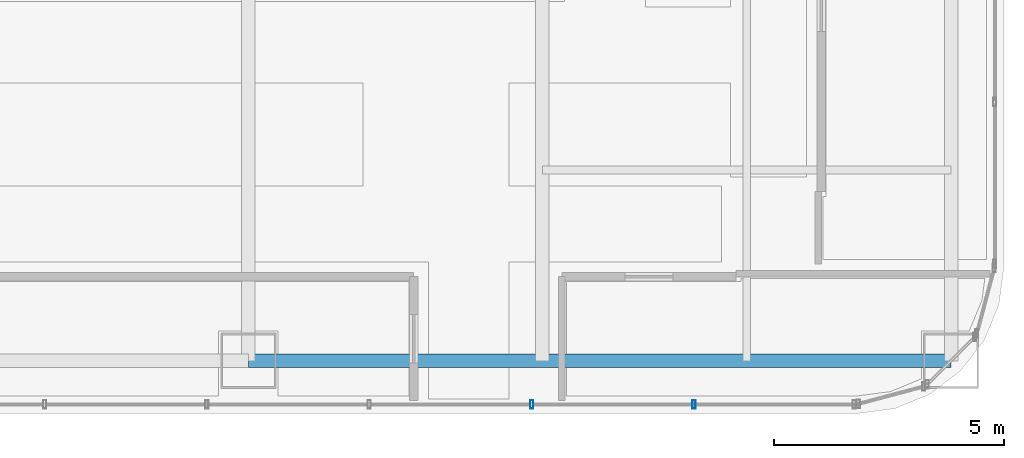
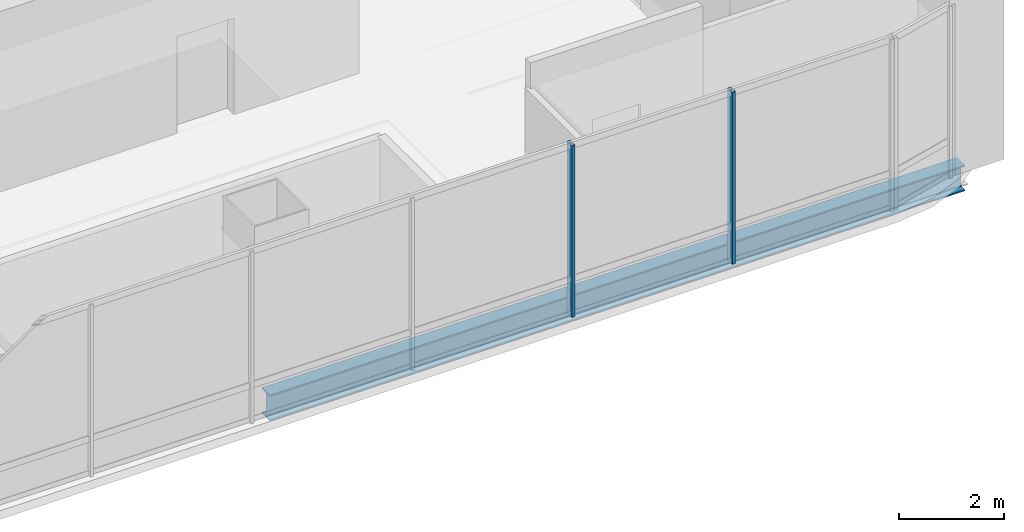
# One storey, part 15 of 41: 2 members, 1 beam, 1 element without a shape of its own.
"""IFC4 building model written with IfcOpenShell, lengths in metres."""

from ifc_helpers import new_model, si_unit, direction, frame, origin, origin_2d, place, context, subcontext, project, spatial, hollow_rectangle, i_section, extrude, material, material_profile, profile_set, type_object, element, aggregate, save


model = new_model("IFC4")

# Units and contexts
model_context = context("Model", 3, precision=1e-05, world=origin(), true_north=direction((0.0, 1.0)))
body_context = subcontext(model_context, "Body", "Model", "MODEL_VIEW")
ifc_project = project(units=[si_unit("LENGTHUNIT", "METRE"), si_unit("AREAUNIT", "SQUARE_METRE"), si_unit("VOLUMEUNIT", "CUBIC_METRE"), si_unit("PLANEANGLEUNIT", "RADIAN"), si_unit("MASSUNIT", "GRAM", prefix="KILO")], contexts=[model_context])

# Site, building, storey
site_placement = place(None, origin())
site = spatial("IfcSite", under=ifc_project, at=site_placement, CompositionType="ELEMENT")
building_placement = place(site_placement, origin())
building = spatial("IfcBuilding", under=site, at=building_placement, Name="Punatoya Terracotta Tower", CompositionType="ELEMENT")
storey_placement = place(building_placement, frame((0.0, 0.0, 309.0)))
storey = spatial("IfcBuildingStorey", under=building, at=storey_placement, Name="L73", CompositionType="ELEMENT", Elevation=309.0)

# Beam
ifc_material_1 = material(Name="Steel S355", Category="steel")
ifc_material_profile_1 = material_profile(ifc_material_1, i_section(OverallWidth=0.300048828125, OverallDepth=0.60009765625, WebThickness=0.015380859375, FlangeThickness=0.030029296875, FilletRadius=0.01806640625, at=origin_2d()))
ifc_profile_set_1 = profile_set([ifc_material_profile_1], Name="Steel S355")
beam_type = type_object("IfcBeamType", Name="BM-PRI-600", PredefinedType="BEAM", material=ifc_profile_set_1)
beam_placement = place(storey_placement, frame((3.800048828125, -17.5, -0.5), z_axis=(1.0, 0.0, 0.0), x_axis=(0.0, 1.0, 0.0)))
element("IfcBeam", 1, at=beam_placement, inside=storey, type_object=beam_type, Name="BM-L73-RG-S3", PredefinedType="BEAM", context=body_context, shape_type="SweptSolid", body=[
    extrude(i_section(OverallWidth=0.300048828125, OverallDepth=0.60009765625, WebThickness=0.015380859375, FlangeThickness=0.030029296875, FilletRadius=0.01806640625, at=origin_2d()), origin(), (0.0, 0.0, 1.0), 15.300048828125),
])

# Curtain wall, members
ifc_material_2 = material(Name="Aluminium 6063-T6 + Double Low-E Glass", Category="aluminium")
curtain_wall_type = type_object("IfcCurtainWallType", Name="CW-M3", PredefinedType="NOTDEFINED", material=ifc_material_2)
curtain_wall_placement = place(storey_placement, origin())
curtain_wall = element("IfcCurtainWall", 2, at=curtain_wall_placement, inside=storey, type_object=curtain_wall_type, Name="L73 Curtain Wall CW-L73-S01-1", PredefinedType="NOTDEFINED")
ifc_material_3 = material(Name="Aluminium 6063-T6", Category="aluminium")
ifc_material_profile_2 = material_profile(ifc_material_3, hollow_rectangle(XDim=0.070068359375, YDim=0.179931640625, WallThickness=0.00390625, at=origin_2d()))
ifc_profile_set_2 = profile_set([ifc_material_profile_2], Name="Aluminium 6063-T6")
member_type = type_object("IfcMemberType", Name="CW-MUL-M3", PredefinedType="MULLION", material=ifc_profile_set_2)
member_1_placement = place(storey_placement, frame((9.968994140625, -18.449951171875, 0.0), z_axis=(0.0, 0.0, 1.0), x_axis=(1.0, 0.0, 0.0)))
member_1 = element("IfcMember", 3, at=member_1_placement, type_object=member_type, Name="CW-L73-S01-1 Mullion 09", PredefinedType="MULLION", context=body_context, shape_type="SweptSolid", body=[
    extrude(hollow_rectangle(XDim=0.070068359375, YDim=0.179931640625, WallThickness=0.00390625, at=origin_2d()), origin(), (0.0, 0.0, 1.0), 4.0),
])
member_2_placement = place(storey_placement, frame((13.5029296875, -18.449951171875, 0.0), z_axis=(0.0, 0.0, 1.0), x_axis=(1.0, 0.0, 0.0)))
member_2 = element("IfcMember", 4, at=member_2_placement, type_object=member_type, Name="CW-L73-S01-1 Mullion 10", PredefinedType="MULLION", context=body_context, shape_type="SweptSolid", body=[
    extrude(hollow_rectangle(XDim=0.070068359375, YDim=0.179931640625, WallThickness=0.00390625, at=origin_2d()), origin(), (0.0, 0.0, 1.0), 4.0),
])
aggregate(curtain_wall, [member_1, member_2])

save(model, "model.ifc")
